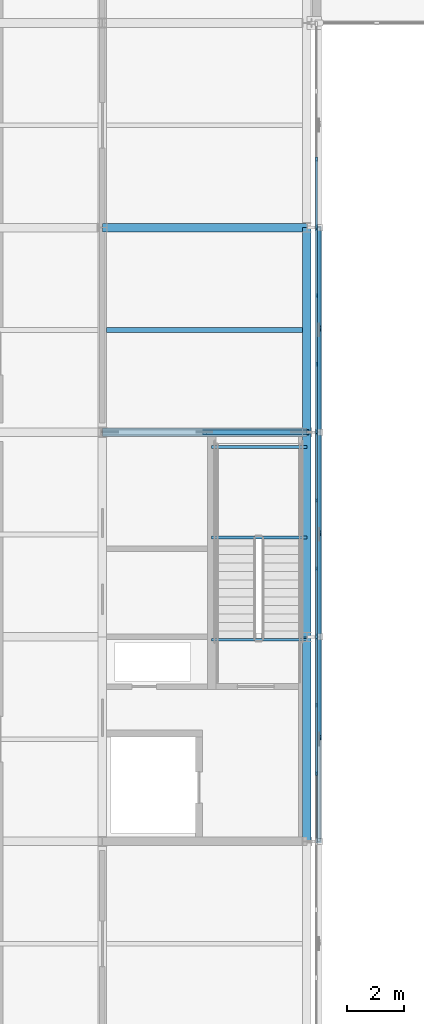
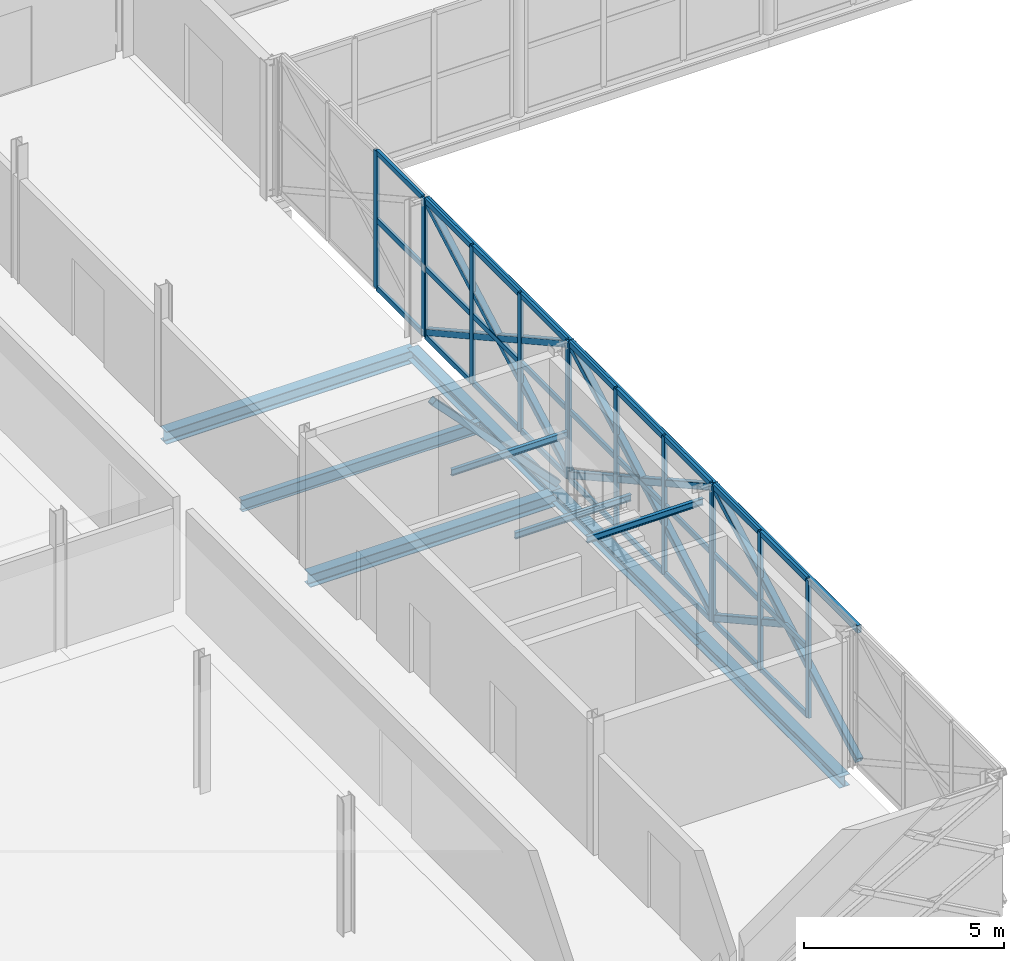
# One storey, part 51 of 146: 52 members, 9 beams, 4 elements without a shape of their own.
"""IFC4 building model written with IfcOpenShell, lengths in metres."""

from ifc_helpers import new_model, si_unit, direction, frame, origin, origin_2d, place, context, subcontext, project, spatial, rectangle, hollow_rectangle, i_section, extrude, material, material_profile, profile_set, type_object, element, aggregate, save


model = new_model("IFC4")

# Units and contexts
model_context = context("Model", 3, precision=1e-05, world=origin(), true_north=direction((0.0, 1.0)))
body_context = subcontext(model_context, "Body", "Model", "MODEL_VIEW")
ifc_project = project(units=[si_unit("LENGTHUNIT", "METRE"), si_unit("AREAUNIT", "SQUARE_METRE"), si_unit("VOLUMEUNIT", "CUBIC_METRE"), si_unit("PLANEANGLEUNIT", "RADIAN"), si_unit("MASSUNIT", "GRAM", prefix="KILO")], contexts=[model_context])

# Site, building, storey
site_placement = place(None, origin())
site = spatial("IfcSite", under=ifc_project, at=site_placement, CompositionType="ELEMENT")
building_placement = place(site_placement, origin())
building = spatial("IfcBuilding", under=site, at=building_placement, Name="Zlatovets Crest Museum", CompositionType="ELEMENT")
storey_placement = place(building_placement, frame((0.0, 0.0, 4.5)))
storey = spatial("IfcBuildingStorey", under=building, at=storey_placement, Name="L01", CompositionType="ELEMENT", Elevation=4.5)

# Beams
ifc_material_1 = material(Name="Structural steel S355J2", Category="steel")
ifc_material_profile_1 = material_profile(ifc_material_1, i_section(OverallWidth=0.300048828125, OverallDepth=0.389892578125, WebThickness=0.010986328125, FlangeThickness=0.01904296875, FilletRadius=0.027099609375, at=origin_2d()), Name="HEA 400")
ifc_profile_set_1 = profile_set([ifc_material_profile_1], Name="Structural steel S355J2")
beam_type_1 = type_object("IfcBeamType", Name="Beam_B-02", PredefinedType="BEAM", material=ifc_profile_set_1)
for number, where, z_axis, x_axis, name in (
    (1, (28.800048828125, 72.0, -0.4150390625), (1.0, 0.0, 0.0), (0.0, 1.0, 0.0), "V4 L01 Primary Girder B-02"),
    (2, (28.800048828125, 79.199951171875, -0.4150390625), (1.0, 0.0, 0.0), (0.0, 1.0, 0.0), "V4 L01 Primary Girder B-02"),
):
    element("IfcBeam", number, at=place(storey_placement, frame(where, z_axis=z_axis, x_axis=x_axis)), inside=storey, type_object=beam_type_1, Name=name, PredefinedType="BEAM", context=body_context, shape_type="SweptSolid", body=[
        extrude(i_section(OverallWidth=0.300048828125, OverallDepth=0.389892578125, WebThickness=0.010986328125, FlangeThickness=0.01904296875, FilletRadius=0.027099609375, at=origin_2d()), origin(), (0.0, 0.0, 1.0), 7.199951171875),
    ])
ifc_material_profile_2 = material_profile(ifc_material_1, i_section(OverallWidth=0.300048828125, OverallDepth=0.35009765625, WebThickness=0.010009765625, FlangeThickness=0.017578125, FilletRadius=0.027099609375, at=origin_2d()), Name="HEA 360")
ifc_profile_set_2 = profile_set([ifc_material_profile_2], Name="Structural steel S355J2")
beam_type_2 = type_object("IfcBeamType", Name="Beam_B-03", PredefinedType="BEAM", material=ifc_profile_set_2)
for number, where, z_axis, x_axis, name in (
    (3, (36.0, 57.60009765625, -0.39501953125), (0.0, 1.0, 0.0), (-1.0, 0.0, 0.0), "V4 L01 Grid Beam B-03"),
    (4, (36.0, 64.800048828125, -0.39501953125), (0.0, 1.0, 0.0), (-1.0, 0.0, 0.0), "V4 L01 Grid Beam B-03"),
    (5, (36.0, 72.0, -0.39501953125), (0.0, 1.0, 0.0), (-1.0, 0.0, 0.0), "V4 L01 Grid Beam B-03"),
):
    element("IfcBeam", number, at=place(storey_placement, frame(where, z_axis=z_axis, x_axis=x_axis)), inside=storey, type_object=beam_type_2, Name=name, PredefinedType="BEAM", context=body_context, shape_type="SweptSolid", body=[
        extrude(i_section(OverallWidth=0.300048828125, OverallDepth=0.35009765625, WebThickness=0.010009765625, FlangeThickness=0.017578125, FilletRadius=0.027099609375, at=origin_2d()), origin(), (0.0, 0.0, 1.0), 7.199951171875),
    ])
ifc_material_profile_3 = material_profile(ifc_material_1, i_section(OverallWidth=0.169921875, OverallDepth=0.360107421875, WebThickness=0.008056640625, FlangeThickness=0.0126953125, FilletRadius=0.01806640625, at=origin_2d()), Name="IPE 360")
ifc_profile_set_3 = profile_set([ifc_material_profile_3], Name="Structural steel S355J2")
beam_type_3 = type_object("IfcBeamType", Name="Beam_J-01", PredefinedType="JOIST", material=ifc_profile_set_3)
beam_placement = place(storey_placement, frame((28.949951171875, 75.60009765625, -0.39990234375), z_axis=(1.0, 0.0, 0.0), x_axis=(0.0, 1.0, 0.0)))
element("IfcBeam", 6, at=beam_placement, inside=storey, type_object=beam_type_3, Name="V4 L01 Composite Joist J-01", PredefinedType="JOIST", context=body_context, shape_type="SweptSolid", body=[
    extrude(i_section(OverallWidth=0.169921875, OverallDepth=0.360107421875, WebThickness=0.008056640625, FlangeThickness=0.0126953125, FilletRadius=0.01806640625, at=origin_2d()), origin(), (0.0, 0.0, 1.0), 6.900146484375),
])
ifc_material_profile_4 = material_profile(ifc_material_1, i_section(OverallWidth=0.10009765625, OverallDepth=0.199951171875, WebThickness=0.005615234375, FlangeThickness=0.008544921875, FilletRadius=0.011962890625, at=origin_2d()), Name="IPE 200")
ifc_profile_set_4 = profile_set([ifc_material_profile_4], Name="Structural steel S355J2")
beam_type_4 = type_object("IfcBeamType", Name="Beam_PR-02", PredefinedType="LINTEL", material=ifc_profile_set_4)
for number, where, z_axis, x_axis, name in (
    (7, (32.64990234375, 64.699951171875, 3.860107421875), (1.0, 0.0, 0.0), (0.0, 1.0, 0.0), "Core C4 L01 Stair Well Header Beam"),
    (8, (32.64990234375, 68.300048828125, 1.800048828125), (1.0, 0.0, 0.0), (0.0, 1.0, 0.0), "Core C4 L01 Half-Landing Support Beam"),
    (9, (32.64990234375, 71.47998046875, 1.800048828125), (1.0, 0.0, 0.0), (0.0, 1.0, 0.0), "Core C4 L01 Half-Landing Support Beam"),
):
    element("IfcBeam", number, at=place(storey_placement, frame(where, z_axis=z_axis, x_axis=x_axis)), inside=storey, type_object=beam_type_4, Name=name, PredefinedType="LINTEL", context=body_context, shape_type="SweptSolid", body=[
        extrude(i_section(OverallWidth=0.10009765625, OverallDepth=0.199951171875, WebThickness=0.005615234375, FlangeThickness=0.008544921875, FilletRadius=0.011962890625, at=origin_2d()), origin(), (0.0, 0.0, 1.0), 3.35009765625),
    ])

# Curtain wall, members
ifc_material_2 = material(Name="Bronze-anodised aluminium and low-E triple glass", Category="aluminium")
curtain_wall_type_1 = type_object("IfcCurtainWallType", Name="CW_CW-V4-L01-M1", PredefinedType="NOTDEFINED", material=ifc_material_2)
curtain_wall_1_placement = place(storey_placement, origin())
curtain_wall_1 = element("IfcCurtainWall", 10, at=curtain_wall_1_placement, inside=storey, type_object=curtain_wall_type_1, Name="V4 L01 Expressed Core Glazed Facade", PredefinedType="NOTDEFINED")
ifc_material_3 = material(Name="Bronze-anodised aluminium EN AW-6060", Category="aluminium")
ifc_material_profile_5 = material_profile(ifc_material_3, rectangle(XDim=0.080078125, YDim=0.159912109375, at=origin_2d()), Name="ALU 80x160")
ifc_profile_set_5 = profile_set([ifc_material_profile_5], Name="Bronze-anodised aluminium EN AW-6060")
member_type_1 = type_object("IfcMemberType", Name="CWMull_M1", PredefinedType="MULLION", material=ifc_profile_set_5)
member_1_placement = place(storey_placement, frame((36.340087890625, 60.0, 0.0), z_axis=(0.0, 0.0, 1.0), x_axis=(-1.0, 0.0, 0.0)))
member_1 = element("IfcMember", 11, at=member_1_placement, type_object=member_type_1, Name="CW-V4-L01-M1 mullion 2", PredefinedType="MULLION", context=body_context, shape_type="SweptSolid", body=[
    extrude(rectangle(XDim=0.080078125, YDim=0.159912109375, at=origin_2d()), origin(), (0.0, 0.0, 1.0), 4.199951171875),
])
member_2_placement = place(storey_placement, frame((36.340087890625, 62.39990234375, 0.0), z_axis=(0.0, 0.0, 1.0), x_axis=(-1.0, 0.0, 0.0)))
member_2 = element("IfcMember", 12, at=member_2_placement, type_object=member_type_1, Name="CW-V4-L01-M1 mullion 3", PredefinedType="MULLION", context=body_context, shape_type="SweptSolid", body=[
    extrude(rectangle(XDim=0.080078125, YDim=0.159912109375, at=origin_2d()), origin(), (0.0, 0.0, 1.0), 4.199951171875),
])
member_3_placement = place(storey_placement, frame((36.340087890625, 64.77001953125, 0.0), z_axis=(0.0, 0.0, 1.0), x_axis=(-1.0, 0.0, 0.0)))
member_3 = element("IfcMember", 13, at=member_3_placement, type_object=member_type_1, Name="CW-V4-L01-M1 mullion 4", PredefinedType="MULLION", context=body_context, shape_type="SweptSolid", body=[
    extrude(rectangle(XDim=0.080078125, YDim=0.159912109375, at=origin_2d()), origin(), (0.0, 0.0, 1.0), 4.199951171875),
])

curtain_wall_type_2 = type_object("IfcCurtainWallType", Name="CW_CW-V4-L01-M2", PredefinedType="NOTDEFINED", material=ifc_material_2)
curtain_wall_2_placement = place(storey_placement, origin())
curtain_wall_2 = element("IfcCurtainWall", 14, at=curtain_wall_2_placement, inside=storey, type_object=curtain_wall_type_2, Name="V4 L01 Expressed Core Glazed Facade", PredefinedType="NOTDEFINED")
member_4_placement = place(storey_placement, frame((36.340087890625, 64.830078125, 0.0), z_axis=(0.0, 0.0, 1.0), x_axis=(-1.0, 0.0, 0.0)))
member_4 = element("IfcMember", 15, at=member_4_placement, type_object=member_type_1, Name="CW-V4-L01-M2 mullion 1", PredefinedType="MULLION", context=body_context, shape_type="SweptSolid", body=[
    extrude(rectangle(XDim=0.080078125, YDim=0.159912109375, at=origin_2d()), origin(), (0.0, 0.0, 1.0), 4.199951171875),
])
member_5_placement = place(storey_placement, frame((36.340087890625, 67.199951171875, 0.0), z_axis=(0.0, 0.0, 1.0), x_axis=(-1.0, 0.0, 0.0)))
member_5 = element("IfcMember", 16, at=member_5_placement, type_object=member_type_1, Name="CW-V4-L01-M2 mullion 2", PredefinedType="MULLION", context=body_context, shape_type="SweptSolid", body=[
    extrude(rectangle(XDim=0.080078125, YDim=0.159912109375, at=origin_2d()), origin(), (0.0, 0.0, 1.0), 4.199951171875),
])
member_6_placement = place(storey_placement, frame((36.340087890625, 69.60009765625, 0.0), z_axis=(0.0, 0.0, 1.0), x_axis=(-1.0, 0.0, 0.0)))
member_6 = element("IfcMember", 17, at=member_6_placement, type_object=member_type_1, Name="CW-V4-L01-M2 mullion 3", PredefinedType="MULLION", context=body_context, shape_type="SweptSolid", body=[
    extrude(rectangle(XDim=0.080078125, YDim=0.159912109375, at=origin_2d()), origin(), (0.0, 0.0, 1.0), 4.199951171875),
])
member_7_placement = place(storey_placement, frame((36.340087890625, 71.969970703125, 0.0), z_axis=(0.0, 0.0, 1.0), x_axis=(-1.0, 0.0, 0.0)))
member_7 = element("IfcMember", 18, at=member_7_placement, type_object=member_type_1, Name="CW-V4-L01-M2 mullion 4", PredefinedType="MULLION", context=body_context, shape_type="SweptSolid", body=[
    extrude(rectangle(XDim=0.080078125, YDim=0.159912109375, at=origin_2d()), origin(), (0.0, 0.0, 1.0), 4.199951171875),
])

curtain_wall_type_3 = type_object("IfcCurtainWallType", Name="CW_CW-V4-L01-M3", PredefinedType="NOTDEFINED", material=ifc_material_2)
curtain_wall_3_placement = place(storey_placement, origin())
curtain_wall_3 = element("IfcCurtainWall", 19, at=curtain_wall_3_placement, inside=storey, type_object=curtain_wall_type_3, Name="V4 L01 Secession Foyer Clear Curtain Wall", PredefinedType="NOTDEFINED")
member_8_placement = place(storey_placement, frame((36.340087890625, 72.030029296875, 0.0), z_axis=(0.0, 0.0, 1.0), x_axis=(-1.0, 0.0, 0.0)))
member_8 = element("IfcMember", 20, at=member_8_placement, type_object=member_type_1, Name="CW-V4-L01-M3 mullion 1", PredefinedType="MULLION", context=body_context, shape_type="SweptSolid", body=[
    extrude(rectangle(XDim=0.080078125, YDim=0.159912109375, at=origin_2d()), origin(), (0.0, 0.0, 1.0), 4.199951171875),
])
member_9_placement = place(storey_placement, frame((36.340087890625, 74.39990234375, 0.0), z_axis=(0.0, 0.0, 1.0), x_axis=(-1.0, 0.0, 0.0)))
member_9 = element("IfcMember", 21, at=member_9_placement, type_object=member_type_1, Name="CW-V4-L01-M3 mullion 2", PredefinedType="MULLION", context=body_context, shape_type="SweptSolid", body=[
    extrude(rectangle(XDim=0.080078125, YDim=0.159912109375, at=origin_2d()), origin(), (0.0, 0.0, 1.0), 4.199951171875),
])
member_10_placement = place(storey_placement, frame((36.340087890625, 76.800048828125, 0.0), z_axis=(0.0, 0.0, 1.0), x_axis=(-1.0, 0.0, 0.0)))
member_10 = element("IfcMember", 22, at=member_10_placement, type_object=member_type_1, Name="CW-V4-L01-M3 mullion 3", PredefinedType="MULLION", context=body_context, shape_type="SweptSolid", body=[
    extrude(rectangle(XDim=0.080078125, YDim=0.159912109375, at=origin_2d()), origin(), (0.0, 0.0, 1.0), 4.199951171875),
])
member_11_placement = place(storey_placement, frame((36.340087890625, 79.169921875, 0.0), z_axis=(0.0, 0.0, 1.0), x_axis=(-1.0, 0.0, 0.0)))
member_11 = element("IfcMember", 23, at=member_11_placement, type_object=member_type_1, Name="CW-V4-L01-M3 mullion 4", PredefinedType="MULLION", context=body_context, shape_type="SweptSolid", body=[
    extrude(rectangle(XDim=0.080078125, YDim=0.159912109375, at=origin_2d()), origin(), (0.0, 0.0, 1.0), 4.199951171875),
])

curtain_wall_type_4 = type_object("IfcCurtainWallType", Name="CW_CW-V4-L01-M0", PredefinedType="NOTDEFINED", material=ifc_material_2)
curtain_wall_4_placement = place(storey_placement, origin())
curtain_wall_4 = element("IfcCurtainWall", 24, at=curtain_wall_4_placement, inside=storey, type_object=curtain_wall_type_4, Name="V4 L01 Secession Foyer Clear Curtain Wall", PredefinedType="NOTDEFINED")
member_12_placement = place(storey_placement, frame((36.340087890625, 79.22998046875, 0.0), z_axis=(0.0, 0.0, 1.0), x_axis=(-1.0, 0.0, 0.0)))
member_12 = element("IfcMember", 25, at=member_12_placement, type_object=member_type_1, Name="CW-V4-L01-M0 mullion 1", PredefinedType="MULLION", context=body_context, shape_type="SweptSolid", body=[
    extrude(rectangle(XDim=0.080078125, YDim=0.159912109375, at=origin_2d()), origin(), (0.0, 0.0, 1.0), 4.199951171875),
])
member_13_placement = place(storey_placement, frame((36.340087890625, 81.60009765625, 0.0), z_axis=(0.0, 0.0, 1.0), x_axis=(-1.0, 0.0, 0.0)))
member_13 = element("IfcMember", 26, at=member_13_placement, type_object=member_type_1, Name="CW-V4-L01-M0 mullion 2", PredefinedType="MULLION", context=body_context, shape_type="SweptSolid", body=[
    extrude(rectangle(XDim=0.080078125, YDim=0.159912109375, at=origin_2d()), origin(), (0.0, 0.0, 1.0), 4.199951171875),
])

# Member
ifc_material_profile_6 = material_profile(ifc_material_3, rectangle(XDim=0.080078125, YDim=0.159912109375, at=origin_2d()), Name="ALU 80x160")
ifc_profile_set_6 = profile_set([ifc_material_profile_6], Name="Bronze-anodised aluminium EN AW-6060")
member_type_2 = type_object("IfcMemberType", Name="CWTrans_T1", PredefinedType="USERDEFINED", material=ifc_profile_set_6)
member_14_placement = place(storey_placement, frame((36.340087890625, 60.030029296875, 0.030029296875), z_axis=(0.0, 1.0, 0.0), x_axis=(-1.0, 0.0, 0.0)))
member_14 = element("IfcMember", 27, at=member_14_placement, type_object=member_type_2, Name="CW-V4-L01-M1 transom 2.1", ObjectType="TRANSOM", PredefinedType="USERDEFINED", context=body_context, shape_type="SweptSolid", body=[
    extrude(rectangle(XDim=0.080078125, YDim=0.159912109375, at=origin_2d()), origin(), (0.0, 0.0, 1.0), 2.340087890625),
])

member_15_placement = place(storey_placement, frame((36.340087890625, 60.030029296875, 2.10009765625), z_axis=(0.0, 1.0, 0.0), x_axis=(-1.0, 0.0, 0.0)))
member_15 = element("IfcMember", 28, at=member_15_placement, type_object=member_type_2, Name="CW-V4-L01-M1 transom 2.2", ObjectType="TRANSOM", PredefinedType="USERDEFINED", context=body_context, shape_type="SweptSolid", body=[
    extrude(rectangle(XDim=0.080078125, YDim=0.159912109375, at=origin_2d()), origin(), (0.0, 0.0, 1.0), 2.340087890625),
])

member_16_placement = place(storey_placement, frame((36.340087890625, 60.030029296875, 4.169921875), z_axis=(0.0, 1.0, 0.0), x_axis=(-1.0, 0.0, 0.0)))
member_16 = element("IfcMember", 29, at=member_16_placement, type_object=member_type_2, Name="CW-V4-L01-M1 transom 2.3", ObjectType="TRANSOM", PredefinedType="USERDEFINED", context=body_context, shape_type="SweptSolid", body=[
    extrude(rectangle(XDim=0.080078125, YDim=0.159912109375, at=origin_2d()), origin(), (0.0, 0.0, 1.0), 2.340087890625),
])

member_17_placement = place(storey_placement, frame((36.340087890625, 62.429931640625, 0.030029296875), z_axis=(0.0, 1.0, 0.0), x_axis=(-1.0, 0.0, 0.0)))
member_17 = element("IfcMember", 30, at=member_17_placement, type_object=member_type_2, Name="CW-V4-L01-M1 transom 3.1", ObjectType="TRANSOM", PredefinedType="USERDEFINED", context=body_context, shape_type="SweptSolid", body=[
    extrude(rectangle(XDim=0.080078125, YDim=0.159912109375, at=origin_2d()), origin(), (0.0, 0.0, 1.0), 2.31005859375),
])

member_18_placement = place(storey_placement, frame((36.340087890625, 62.429931640625, 2.10009765625), z_axis=(0.0, 1.0, 0.0), x_axis=(-1.0, 0.0, 0.0)))
member_18 = element("IfcMember", 31, at=member_18_placement, type_object=member_type_2, Name="CW-V4-L01-M1 transom 3.2", ObjectType="TRANSOM", PredefinedType="USERDEFINED", context=body_context, shape_type="SweptSolid", body=[
    extrude(rectangle(XDim=0.080078125, YDim=0.159912109375, at=origin_2d()), origin(), (0.0, 0.0, 1.0), 2.31005859375),
])

member_19_placement = place(storey_placement, frame((36.340087890625, 62.429931640625, 4.169921875), z_axis=(0.0, 1.0, 0.0), x_axis=(-1.0, 0.0, 0.0)))
member_19 = element("IfcMember", 32, at=member_19_placement, type_object=member_type_2, Name="CW-V4-L01-M1 transom 3.3", ObjectType="TRANSOM", PredefinedType="USERDEFINED", context=body_context, shape_type="SweptSolid", body=[
    extrude(rectangle(XDim=0.080078125, YDim=0.159912109375, at=origin_2d()), origin(), (0.0, 0.0, 1.0), 2.31005859375),
])

aggregate(curtain_wall_1, [member_1, member_2, member_3, member_14, member_15, member_16, member_17, member_18, member_19])

member_20_placement = place(storey_placement, frame((36.340087890625, 64.860107421875, 0.030029296875), z_axis=(0.0, 1.0, 0.0), x_axis=(-1.0, 0.0, 0.0)))
member_20 = element("IfcMember", 33, at=member_20_placement, type_object=member_type_2, Name="CW-V4-L01-M2 transom 1.1", ObjectType="TRANSOM", PredefinedType="USERDEFINED", context=body_context, shape_type="SweptSolid", body=[
    extrude(rectangle(XDim=0.080078125, YDim=0.159912109375, at=origin_2d()), origin(), (0.0, 0.0, 1.0), 2.309814453125),
])

member_21_placement = place(storey_placement, frame((36.340087890625, 64.860107421875, 2.10009765625), z_axis=(0.0, 1.0, 0.0), x_axis=(-1.0, 0.0, 0.0)))
member_21 = element("IfcMember", 34, at=member_21_placement, type_object=member_type_2, Name="CW-V4-L01-M2 transom 1.2", ObjectType="TRANSOM", PredefinedType="USERDEFINED", context=body_context, shape_type="SweptSolid", body=[
    extrude(rectangle(XDim=0.080078125, YDim=0.159912109375, at=origin_2d()), origin(), (0.0, 0.0, 1.0), 2.309814453125),
])

member_22_placement = place(storey_placement, frame((36.340087890625, 64.860107421875, 4.169921875), z_axis=(0.0, 1.0, 0.0), x_axis=(-1.0, 0.0, 0.0)))
member_22 = element("IfcMember", 35, at=member_22_placement, type_object=member_type_2, Name="CW-V4-L01-M2 transom 1.3", ObjectType="TRANSOM", PredefinedType="USERDEFINED", context=body_context, shape_type="SweptSolid", body=[
    extrude(rectangle(XDim=0.080078125, YDim=0.159912109375, at=origin_2d()), origin(), (0.0, 0.0, 1.0), 2.309814453125),
])

member_23_placement = place(storey_placement, frame((36.340087890625, 67.22998046875, 0.030029296875), z_axis=(0.0, 1.0, 0.0), x_axis=(-1.0, 0.0, 0.0)))
member_23 = element("IfcMember", 36, at=member_23_placement, type_object=member_type_2, Name="CW-V4-L01-M2 transom 2.1", ObjectType="TRANSOM", PredefinedType="USERDEFINED", context=body_context, shape_type="SweptSolid", body=[
    extrude(rectangle(XDim=0.080078125, YDim=0.159912109375, at=origin_2d()), origin(), (0.0, 0.0, 1.0), 2.340087890625),
])

member_24_placement = place(storey_placement, frame((36.340087890625, 67.22998046875, 2.10009765625), z_axis=(0.0, 1.0, 0.0), x_axis=(-1.0, 0.0, 0.0)))
member_24 = element("IfcMember", 37, at=member_24_placement, type_object=member_type_2, Name="CW-V4-L01-M2 transom 2.2", ObjectType="TRANSOM", PredefinedType="USERDEFINED", context=body_context, shape_type="SweptSolid", body=[
    extrude(rectangle(XDim=0.080078125, YDim=0.159912109375, at=origin_2d()), origin(), (0.0, 0.0, 1.0), 2.340087890625),
])

member_25_placement = place(storey_placement, frame((36.340087890625, 67.22998046875, 4.169921875), z_axis=(0.0, 1.0, 0.0), x_axis=(-1.0, 0.0, 0.0)))
member_25 = element("IfcMember", 38, at=member_25_placement, type_object=member_type_2, Name="CW-V4-L01-M2 transom 2.3", ObjectType="TRANSOM", PredefinedType="USERDEFINED", context=body_context, shape_type="SweptSolid", body=[
    extrude(rectangle(XDim=0.080078125, YDim=0.159912109375, at=origin_2d()), origin(), (0.0, 0.0, 1.0), 2.340087890625),
])

member_26_placement = place(storey_placement, frame((36.340087890625, 69.6298828125, 0.030029296875), z_axis=(0.0, 1.0, 0.0), x_axis=(-1.0, 0.0, 0.0)))
member_26 = element("IfcMember", 39, at=member_26_placement, type_object=member_type_2, Name="CW-V4-L01-M2 transom 3.1", ObjectType="TRANSOM", PredefinedType="USERDEFINED", context=body_context, shape_type="SweptSolid", body=[
    extrude(rectangle(XDim=0.080078125, YDim=0.159912109375, at=origin_2d()), origin(), (0.0, 0.0, 1.0), 2.31005859375),
])

member_27_placement = place(storey_placement, frame((36.340087890625, 69.6298828125, 2.10009765625), z_axis=(0.0, 1.0, 0.0), x_axis=(-1.0, 0.0, 0.0)))
member_27 = element("IfcMember", 40, at=member_27_placement, type_object=member_type_2, Name="CW-V4-L01-M2 transom 3.2", ObjectType="TRANSOM", PredefinedType="USERDEFINED", context=body_context, shape_type="SweptSolid", body=[
    extrude(rectangle(XDim=0.080078125, YDim=0.159912109375, at=origin_2d()), origin(), (0.0, 0.0, 1.0), 2.31005859375),
])

member_28_placement = place(storey_placement, frame((36.340087890625, 69.6298828125, 4.169921875), z_axis=(0.0, 1.0, 0.0), x_axis=(-1.0, 0.0, 0.0)))
member_28 = element("IfcMember", 41, at=member_28_placement, type_object=member_type_2, Name="CW-V4-L01-M2 transom 3.3", ObjectType="TRANSOM", PredefinedType="USERDEFINED", context=body_context, shape_type="SweptSolid", body=[
    extrude(rectangle(XDim=0.080078125, YDim=0.159912109375, at=origin_2d()), origin(), (0.0, 0.0, 1.0), 2.31005859375),
])

aggregate(curtain_wall_2, [member_4, member_5, member_6, member_7, member_20, member_21, member_22, member_23, member_24, member_25, member_26, member_27, member_28])

member_29_placement = place(storey_placement, frame((36.340087890625, 72.06005859375, 0.030029296875), z_axis=(0.0, 1.0, 0.0), x_axis=(-1.0, 0.0, 0.0)))
member_29 = element("IfcMember", 42, at=member_29_placement, type_object=member_type_2, Name="CW-V4-L01-M3 transom 1.1", ObjectType="TRANSOM", PredefinedType="USERDEFINED", context=body_context, shape_type="SweptSolid", body=[
    extrude(rectangle(XDim=0.080078125, YDim=0.159912109375, at=origin_2d()), origin(), (0.0, 0.0, 1.0), 2.31005859375),
])

member_30_placement = place(storey_placement, frame((36.340087890625, 72.06005859375, 2.10009765625), z_axis=(0.0, 1.0, 0.0), x_axis=(-1.0, 0.0, 0.0)))
member_30 = element("IfcMember", 43, at=member_30_placement, type_object=member_type_2, Name="CW-V4-L01-M3 transom 1.2", ObjectType="TRANSOM", PredefinedType="USERDEFINED", context=body_context, shape_type="SweptSolid", body=[
    extrude(rectangle(XDim=0.080078125, YDim=0.159912109375, at=origin_2d()), origin(), (0.0, 0.0, 1.0), 2.31005859375),
])

member_31_placement = place(storey_placement, frame((36.340087890625, 72.06005859375, 4.169921875), z_axis=(0.0, 1.0, 0.0), x_axis=(-1.0, 0.0, 0.0)))
member_31 = element("IfcMember", 44, at=member_31_placement, type_object=member_type_2, Name="CW-V4-L01-M3 transom 1.3", ObjectType="TRANSOM", PredefinedType="USERDEFINED", context=body_context, shape_type="SweptSolid", body=[
    extrude(rectangle(XDim=0.080078125, YDim=0.159912109375, at=origin_2d()), origin(), (0.0, 0.0, 1.0), 2.31005859375),
])

member_32_placement = place(storey_placement, frame((36.340087890625, 74.429931640625, 0.030029296875), z_axis=(0.0, 1.0, 0.0), x_axis=(-1.0, 0.0, 0.0)))
member_32 = element("IfcMember", 45, at=member_32_placement, type_object=member_type_2, Name="CW-V4-L01-M3 transom 2.1", ObjectType="TRANSOM", PredefinedType="USERDEFINED", context=body_context, shape_type="SweptSolid", body=[
    extrude(rectangle(XDim=0.080078125, YDim=0.159912109375, at=origin_2d()), origin(), (0.0, 0.0, 1.0), 2.340087890625),
])

member_33_placement = place(storey_placement, frame((36.340087890625, 74.429931640625, 2.10009765625), z_axis=(0.0, 1.0, 0.0), x_axis=(-1.0, 0.0, 0.0)))
member_33 = element("IfcMember", 46, at=member_33_placement, type_object=member_type_2, Name="CW-V4-L01-M3 transom 2.2", ObjectType="TRANSOM", PredefinedType="USERDEFINED", context=body_context, shape_type="SweptSolid", body=[
    extrude(rectangle(XDim=0.080078125, YDim=0.159912109375, at=origin_2d()), origin(), (0.0, 0.0, 1.0), 2.340087890625),
])

member_34_placement = place(storey_placement, frame((36.340087890625, 74.429931640625, 4.169921875), z_axis=(0.0, 1.0, 0.0), x_axis=(-1.0, 0.0, 0.0)))
member_34 = element("IfcMember", 47, at=member_34_placement, type_object=member_type_2, Name="CW-V4-L01-M3 transom 2.3", ObjectType="TRANSOM", PredefinedType="USERDEFINED", context=body_context, shape_type="SweptSolid", body=[
    extrude(rectangle(XDim=0.080078125, YDim=0.159912109375, at=origin_2d()), origin(), (0.0, 0.0, 1.0), 2.340087890625),
])

member_35_placement = place(storey_placement, frame((36.340087890625, 76.830078125, 0.030029296875), z_axis=(0.0, 1.0, 0.0), x_axis=(-1.0, 0.0, 0.0)))
member_35 = element("IfcMember", 48, at=member_35_placement, type_object=member_type_2, Name="CW-V4-L01-M3 transom 3.1", ObjectType="TRANSOM", PredefinedType="USERDEFINED", context=body_context, shape_type="SweptSolid", body=[
    extrude(rectangle(XDim=0.080078125, YDim=0.159912109375, at=origin_2d()), origin(), (0.0, 0.0, 1.0), 2.309814453125),
])

member_36_placement = place(storey_placement, frame((36.340087890625, 76.830078125, 2.10009765625), z_axis=(0.0, 1.0, 0.0), x_axis=(-1.0, 0.0, 0.0)))
member_36 = element("IfcMember", 49, at=member_36_placement, type_object=member_type_2, Name="CW-V4-L01-M3 transom 3.2", ObjectType="TRANSOM", PredefinedType="USERDEFINED", context=body_context, shape_type="SweptSolid", body=[
    extrude(rectangle(XDim=0.080078125, YDim=0.159912109375, at=origin_2d()), origin(), (0.0, 0.0, 1.0), 2.309814453125),
])

member_37_placement = place(storey_placement, frame((36.340087890625, 76.830078125, 4.169921875), z_axis=(0.0, 1.0, 0.0), x_axis=(-1.0, 0.0, 0.0)))
member_37 = element("IfcMember", 50, at=member_37_placement, type_object=member_type_2, Name="CW-V4-L01-M3 transom 3.3", ObjectType="TRANSOM", PredefinedType="USERDEFINED", context=body_context, shape_type="SweptSolid", body=[
    extrude(rectangle(XDim=0.080078125, YDim=0.159912109375, at=origin_2d()), origin(), (0.0, 0.0, 1.0), 2.309814453125),
])

aggregate(curtain_wall_3, [member_8, member_9, member_10, member_11, member_29, member_30, member_31, member_32, member_33, member_34, member_35, member_36, member_37])

member_38_placement = place(storey_placement, frame((36.340087890625, 79.260009765625, 0.030029296875), z_axis=(0.0, 1.0, 0.0), x_axis=(-1.0, 0.0, 0.0)))
member_38 = element("IfcMember", 51, at=member_38_placement, type_object=member_type_2, Name="CW-V4-L01-M0 transom 1.1", ObjectType="TRANSOM", PredefinedType="USERDEFINED", context=body_context, shape_type="SweptSolid", body=[
    extrude(rectangle(XDim=0.080078125, YDim=0.159912109375, at=origin_2d()), origin(), (0.0, 0.0, 1.0), 2.31005859375),
])

member_39_placement = place(storey_placement, frame((36.340087890625, 79.260009765625, 2.10009765625), z_axis=(0.0, 1.0, 0.0), x_axis=(-1.0, 0.0, 0.0)))
member_39 = element("IfcMember", 52, at=member_39_placement, type_object=member_type_2, Name="CW-V4-L01-M0 transom 1.2", ObjectType="TRANSOM", PredefinedType="USERDEFINED", context=body_context, shape_type="SweptSolid", body=[
    extrude(rectangle(XDim=0.080078125, YDim=0.159912109375, at=origin_2d()), origin(), (0.0, 0.0, 1.0), 2.31005859375),
])

member_40_placement = place(storey_placement, frame((36.340087890625, 79.260009765625, 4.169921875), z_axis=(0.0, 1.0, 0.0), x_axis=(-1.0, 0.0, 0.0)))
member_40 = element("IfcMember", 53, at=member_40_placement, type_object=member_type_2, Name="CW-V4-L01-M0 transom 1.3", ObjectType="TRANSOM", PredefinedType="USERDEFINED", context=body_context, shape_type="SweptSolid", body=[
    extrude(rectangle(XDim=0.080078125, YDim=0.159912109375, at=origin_2d()), origin(), (0.0, 0.0, 1.0), 2.31005859375),
])

aggregate(curtain_wall_4, [member_12, member_13, member_38, member_39, member_40])

# Members
ifc_material_4 = material(Name="Weathering bronze-steel S355J2W", Category="steel")
ifc_material_profile_7 = material_profile(ifc_material_4, hollow_rectangle(XDim=0.199951171875, YDim=0.199951171875, WallThickness=0.012451171875, InnerFilletRadius=0.012451171875, OuterFilletRadius=0.02490234375, at=origin_2d()), Name="SHS 200x200x12.5")
ifc_profile_set_7 = profile_set([ifc_material_profile_7], Name="Weathering bronze-steel S355J2W")
member_type_3 = type_object("IfcMemberType", Name="Lattice_XL-02", PredefinedType="BRACE", material=ifc_profile_set_7)
member_41_placement = place(storey_placement, frame((36.419921875, 57.60009765625, 0.10009765625), z_axis=(0.0, 0.874155877937, 0.485645447903), x_axis=(-1.0, 0.0, 0.0)))
element("IfcMember", 54, at=member_41_placement, inside=storey, type_object=member_type_3, Name="Continuous Bronze Lattice Diagonal", PredefinedType="BRACE", context=body_context, shape_type="SweptSolid", body=[
    extrude(hollow_rectangle(XDim=0.199951171875, YDim=0.199951171875, WallThickness=0.012451171875, InnerFilletRadius=0.012451171875, OuterFilletRadius=0.02490234375, at=origin_2d()), origin(), (0.0, 0.0, 1.0), 8.236572265625),
])
member_42_placement = place(storey_placement, frame((36.419921875, 61.282958984375, 2.053955078125), z_axis=(0.0, 0.874165862873, -0.485627474703), x_axis=(-1.0, 0.0, 0.0)))
element("IfcMember", 55, at=member_42_placement, inside=storey, type_object=member_type_3, Name="Split Crossing Bronze Lattice Diagonal Lower", PredefinedType="BRACE", context=body_context, shape_type="SweptSolid", body=[
    extrude(hollow_rectangle(XDim=0.199951171875, YDim=0.199951171875, WallThickness=0.012451171875, InnerFilletRadius=0.012451171875, OuterFilletRadius=0.02490234375, at=origin_2d()), origin(), (0.0, 0.0, 1.0), 4.0234375),
])
member_43_placement = place(storey_placement, frame((36.419921875, 64.800048828125, 0.10009765625), z_axis=(0.0, 0.874155877937, 0.485645447903), x_axis=(-1.0, 0.0, 0.0)))
element("IfcMember", 56, at=member_43_placement, inside=storey, type_object=member_type_3, Name="Continuous Bronze Lattice Diagonal", PredefinedType="BRACE", context=body_context, shape_type="SweptSolid", body=[
    extrude(hollow_rectangle(XDim=0.199951171875, YDim=0.199951171875, WallThickness=0.012451171875, InnerFilletRadius=0.012451171875, OuterFilletRadius=0.02490234375, at=origin_2d()), origin(), (0.0, 0.0, 1.0), 8.236572265625),
])
member_44_placement = place(storey_placement, frame((36.419921875, 64.800048828125, 4.10009765625), z_axis=(0.0, 0.874125788284, -0.485699604958), x_axis=(-1.0, 0.0, 0.0)))
element("IfcMember", 57, at=member_44_placement, inside=storey, type_object=member_type_3, Name="Split Crossing Bronze Lattice Diagonal Upper", PredefinedType="BRACE", context=body_context, shape_type="SweptSolid", body=[
    extrude(hollow_rectangle(XDim=0.199951171875, YDim=0.199951171875, WallThickness=0.012451171875, InnerFilletRadius=0.012451171875, OuterFilletRadius=0.02490234375, at=origin_2d()), origin(), (0.0, 0.0, 1.0), 4.023193359375),
])
member_45_placement = place(storey_placement, frame((36.419921875, 68.48291015625, 2.053955078125), z_axis=(0.0, 0.874165862873, -0.485627474703), x_axis=(-1.0, 0.0, 0.0)))
element("IfcMember", 58, at=member_45_placement, inside=storey, type_object=member_type_3, Name="Split Crossing Bronze Lattice Diagonal Lower", PredefinedType="BRACE", context=body_context, shape_type="SweptSolid", body=[
    extrude(hollow_rectangle(XDim=0.199951171875, YDim=0.199951171875, WallThickness=0.012451171875, InnerFilletRadius=0.012451171875, OuterFilletRadius=0.02490234375, at=origin_2d()), origin(), (0.0, 0.0, 1.0), 4.0234375),
])
member_46_placement = place(storey_placement, frame((36.419921875, 72.0, 0.10009765625), z_axis=(0.0, 0.874155877937, 0.485645447903), x_axis=(-1.0, 0.0, 0.0)))
element("IfcMember", 59, at=member_46_placement, inside=storey, type_object=member_type_3, Name="Continuous Bronze Lattice Diagonal", PredefinedType="BRACE", context=body_context, shape_type="SweptSolid", body=[
    extrude(hollow_rectangle(XDim=0.199951171875, YDim=0.199951171875, WallThickness=0.012451171875, InnerFilletRadius=0.012451171875, OuterFilletRadius=0.02490234375, at=origin_2d()), origin(), (0.0, 0.0, 1.0), 8.236572265625),
])
member_47_placement = place(storey_placement, frame((36.419921875, 72.0, 4.10009765625), z_axis=(0.0, 0.874140102304, -0.485673842763), x_axis=(-1.0, 0.0, 0.0)))
element("IfcMember", 60, at=member_47_placement, inside=storey, type_object=member_type_3, Name="Split Crossing Bronze Lattice Diagonal Upper", PredefinedType="BRACE", context=body_context, shape_type="SweptSolid", body=[
    extrude(hollow_rectangle(XDim=0.199951171875, YDim=0.199951171875, WallThickness=0.012451171875, InnerFilletRadius=0.012451171875, OuterFilletRadius=0.02490234375, at=origin_2d()), origin(), (0.0, 0.0, 1.0), 4.0234375),
])
member_48_placement = place(storey_placement, frame((36.419921875, 75.68310546875, 2.053955078125), z_axis=(0.0, 0.874151551165, -0.485653235958), x_axis=(-1.0, 0.0, 0.0)))
element("IfcMember", 61, at=member_48_placement, inside=storey, type_object=member_type_3, Name="Split Crossing Bronze Lattice Diagonal Lower", PredefinedType="BRACE", context=body_context, shape_type="SweptSolid", body=[
    extrude(hollow_rectangle(XDim=0.199951171875, YDim=0.199951171875, WallThickness=0.012451171875, InnerFilletRadius=0.012451171875, OuterFilletRadius=0.02490234375, at=origin_2d()), origin(), (0.0, 0.0, 1.0), 4.023193359375),
])
ifc_material_profile_8 = material_profile(ifc_material_4, hollow_rectangle(XDim=0.1201171875, YDim=0.239990234375, WallThickness=0.010009765625, InnerFilletRadius=0.010009765625, OuterFilletRadius=0.02001953125, at=origin_2d()), Name="RHS 120x240x10.0")
ifc_profile_set_8 = profile_set([ifc_material_profile_8], Name="Weathering bronze-steel S355J2W")
member_type_4 = type_object("IfcMemberType", Name="Lattice_XL-04", PredefinedType="CHORD", material=ifc_profile_set_8)
for number, where, z_axis, x_axis, name in (
    (62, (36.419921875, 57.60009765625, 4.10009765625), (0.0, 1.0, 0.0), (-1.0, 0.0, 0.0), "Art Nouveau Woven Cage Collector Ring Chord"),
    (63, (36.419921875, 64.800048828125, 4.10009765625), (0.0, 1.0, 0.0), (-1.0, 0.0, 0.0), "Art Nouveau Woven Cage Collector Ring Chord"),
    (64, (36.419921875, 72.0, 4.10009765625), (0.0, 1.0, 0.0), (-1.0, 0.0, 0.0), "Art Nouveau Woven Cage Collector Ring Chord"),
):
    element("IfcMember", number, at=place(storey_placement, frame(where, z_axis=z_axis, x_axis=x_axis)), inside=storey, type_object=member_type_4, Name=name, PredefinedType="CHORD", context=body_context, shape_type="SweptSolid", body=[
        extrude(hollow_rectangle(XDim=0.1201171875, YDim=0.239990234375, WallThickness=0.010009765625, InnerFilletRadius=0.010009765625, OuterFilletRadius=0.02001953125, at=origin_2d()), origin(), (0.0, 0.0, 1.0), 7.199951171875),
    ])
ifc_material_profile_9 = material_profile(ifc_material_1, hollow_rectangle(XDim=0.199951171875, YDim=0.199951171875, WallThickness=0.012451171875, InnerFilletRadius=0.012451171875, OuterFilletRadius=0.02490234375, at=origin_2d()), Name="SHS 200x200x12.5")
ifc_profile_set_9 = profile_set([ifc_material_profile_9], Name="Structural steel S355J2")
member_type_5 = type_object("IfcMemberType", Name="Member_BR-01", PredefinedType="BRACE", material=ifc_profile_set_9)
member_49_placement = place(storey_placement, frame((36.0, 72.0, 0.0), z_axis=(-0.692541604294, 0.0, 0.721377935844), x_axis=(0.0, -1.0, 0.0)))
element("IfcMember", 65, at=member_49_placement, inside=storey, type_object=member_type_5, Name="V4 L01 Concentric Seismic Brace", PredefinedType="BRACE", context=body_context, shape_type="SweptSolid", body=[
    extrude(hollow_rectangle(XDim=0.199951171875, YDim=0.199951171875, WallThickness=0.012451171875, InnerFilletRadius=0.012451171875, OuterFilletRadius=0.02490234375, at=origin_2d()), origin(), (0.0, 0.0, 1.0), 5.198486328125),
])

save(model, "model.ifc")
